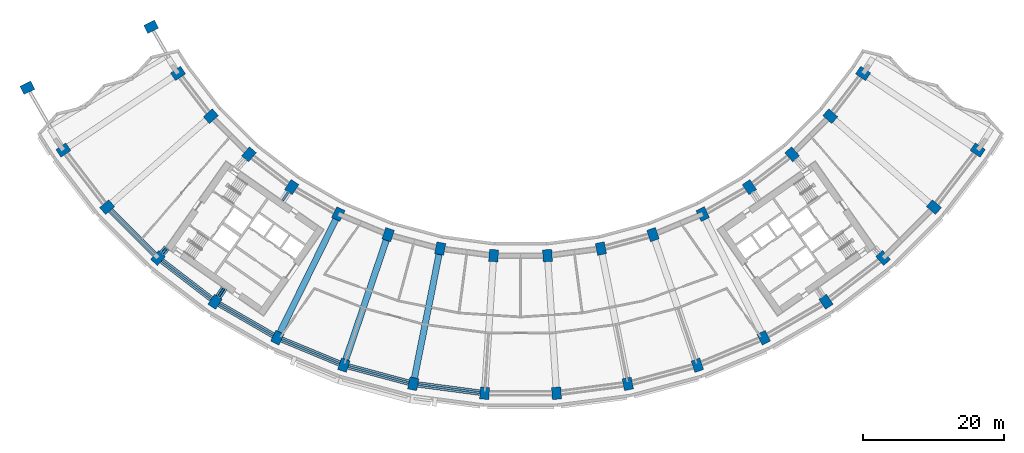
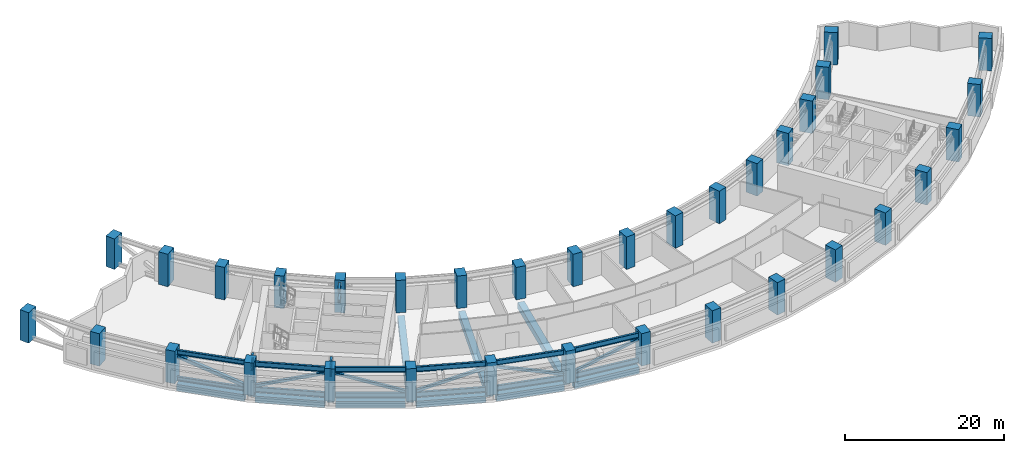
# One storey, part 1 of 25: 34 columns, 26 members, 11 beams.
"""IFC4 building model written with IfcOpenShell, lengths in metres."""

from ifc_helpers import new_model, si_unit, direction, frame, origin, origin_2d, place, context, subcontext, project, spatial, rectangle, hollow_rectangle, hollow_circle, i_section, extrude, material, material_profile, profile_set, type_object, element, save


model = new_model("IFC4")

# Units and contexts
model_context = context("Model", 3, precision=1e-05, world=origin(), true_north=direction((0.0, 1.0)))
body_context = subcontext(model_context, "Body", "Model", "MODEL_VIEW")
ifc_project = project(units=[si_unit("LENGTHUNIT", "METRE"), si_unit("AREAUNIT", "SQUARE_METRE"), si_unit("VOLUMEUNIT", "CUBIC_METRE"), si_unit("PLANEANGLEUNIT", "RADIAN"), si_unit("MASSUNIT", "GRAM", prefix="KILO")], contexts=[model_context])

# Site, building, storey
site_placement = place(None, origin())
site = spatial("IfcSite", under=ifc_project, at=site_placement, CompositionType="ELEMENT")
building_placement = place(site_placement, origin())
building = spatial("IfcBuilding", under=site, at=building_placement, Name="Qamariyya Broadcast Tower", CompositionType="ELEMENT")
storey_placement = place(building_placement, frame((0.0, 0.0, 89.89990234375)))
storey = spatial("IfcBuildingStorey", under=building, at=storey_placement, Name="L19", CompositionType="ELEMENT", Elevation=89.89990234375)

# Columns
ifc_material_1 = material(Name="Concrete C70/85", Category="concrete")
ifc_material_profile_1 = material_profile(ifc_material_1, rectangle(XDim=1.300048828125, YDim=1.699951171875, at=origin_2d()))
ifc_profile_set_1 = profile_set([ifc_material_profile_1], Name="Concrete C70/85")
column_type_1 = type_object("IfcColumnType", Name="RC column 1300 x 1700 C70/85", PredefinedType="COLUMN", material=ifc_profile_set_1)
for number, where, z_axis, x_axis, name in (
    (1, (-48.43310546875, -32.362060546875, 0.0), (0.0, 0.0, 1.0), (0.55557023302, -0.831469612303, 0.0), "Column C5 L19 B-R03"),
    (2, (-64.646728515625, -43.195556640625, 0.0), (0.0, 0.0, 1.0), (0.55557023302, -0.831469612303, 0.0), "Column C5 L19 C-R03"),
    (3, (-43.794677734375, -38.406982421875, 0.0), (0.0, 0.0, 1.0), (0.6593458151, -0.751839807479, 0.0), "Column C5 L19 B-R04"),
    (4, (-58.45556640625, -51.26416015625, 0.0), (0.0, 0.0, 1.0), (0.6593458151, -0.751839807479, 0.0), "Column C5 L19 C-R04"),
    (5, (-38.406982421875, -43.794677734375, 0.0), (0.0, 0.0, 1.0), (0.751839807479, -0.6593458151, 0.0), "Column C5 L19 B-R05"),
    (6, (-51.26416015625, -58.45556640625, 0.0), (0.0, 0.0, 1.0), (0.751839807479, -0.6593458151, 0.0), "Column C5 L19 C-R05"),
    (7, (-32.362060546875, -48.43310546875, 0.0), (0.0, 0.0, 1.0), (0.831469612303, -0.55557023302, 0.0), "Column C5 L19 B-R06"),
    (8, (-43.195556640625, -64.646728515625, 0.0), (0.0, 0.0, 1.0), (0.831469612303, -0.55557023302, 0.0), "Column C5 L19 C-R06"),
    (9, (-25.763427734375, -52.242919921875, 0.0), (0.0, 0.0, 1.0), (0.896872741533, -0.442288690219, 0.0), "Column C5 L19 B-R07"),
    (10, (-34.387939453125, -69.73193359375, 0.0), (0.0, 0.0, 1.0), (0.896872741533, -0.442288690219, 0.0), "Column C5 L19 C-R07"),
    (11, (-18.723876953125, -55.15869140625, 0.0), (0.0, 0.0, 1.0), (0.946930129495, -0.321439465303, 0.0), "Column C5 L19 B-R08"),
    (12, (-24.991943359375, -73.623779296875, 0.0), (0.0, 0.0, 1.0), (0.946930129495, -0.321439465303, 0.0), "Column C5 L19 C-R08"),
    (13, (-11.364013671875, -57.130859375, 0.0), (0.0, 0.0, 1.0), (0.980785280403, -0.195090322016, 0.0), "Column C5 L19 B-R09"),
    (14, (-15.168212890625, -76.256103515625, 0.0), (0.0, 0.0, 1.0), (0.980785280403, -0.195090322016, 0.0), "Column C5 L19 C-R09"),
    (15, (-3.809814453125, -58.125244140625, 0.0), (0.0, 0.0, 1.0), (0.997858923239, -0.06540312923, 0.0), "Column C5 L19 B-R10"),
    (16, (-5.085205078125, -77.58349609375, 0.0), (0.0, 0.0, 1.0), (0.997858923239, -0.06540312923, 0.0), "Column C5 L19 C-R10"),
    (17, (3.809814453125, -58.125244140625, 0.0), (0.0, 0.0, 1.0), (0.997858923239, 0.06540312923, 0.0), "Column C5 L19 B-R11"),
    (18, (5.085205078125, -77.58349609375, 0.0), (0.0, 0.0, 1.0), (0.997858923239, 0.06540312923, 0.0), "Column C5 L19 C-R11"),
    (19, (11.364013671875, -57.130859375, 0.0), (0.0, 0.0, 1.0), (0.980785280403, 0.195090322016, 0.0), "Column C5 L19 B-R12"),
    (20, (15.168212890625, -76.256103515625, 0.0), (0.0, 0.0, 1.0), (0.980785280403, 0.195090322016, 0.0), "Column C5 L19 C-R12"),
    (21, (18.723876953125, -55.15869140625, 0.0), (0.0, 0.0, 1.0), (0.946930129495, 0.321439465303, 0.0), "Column C5 L19 B-R13"),
    (22, (24.991943359375, -73.623779296875, 0.0), (0.0, 0.0, 1.0), (0.946930129495, 0.321439465303, 0.0), "Column C5 L19 C-R13"),
    (23, (25.763427734375, -52.242919921875, 0.0), (0.0, 0.0, 1.0), (0.896872741533, 0.442288690219, 0.0), "Column C5 L19 B-R14"),
    (24, (34.387939453125, -69.73193359375, 0.0), (0.0, 0.0, 1.0), (0.896872741533, 0.442288690219, 0.0), "Column C5 L19 C-R14"),
    (25, (32.362060546875, -48.43310546875, 0.0), (0.0, 0.0, 1.0), (0.831469612303, 0.55557023302, 0.0), "Column C5 L19 B-R15"),
    (26, (43.195556640625, -64.646728515625, 0.0), (0.0, 0.0, 1.0), (0.831469612303, 0.55557023302, 0.0), "Column C5 L19 C-R15"),
    (27, (38.406982421875, -43.794677734375, 0.0), (0.0, 0.0, 1.0), (0.751839807479, 0.6593458151, 0.0), "Column C5 L19 B-R16"),
    (28, (51.26416015625, -58.45556640625, 0.0), (0.0, 0.0, 1.0), (0.751839807479, 0.6593458151, 0.0), "Column C5 L19 C-R16"),
    (29, (43.794677734375, -38.406982421875, 0.0), (0.0, 0.0, 1.0), (0.6593458151, 0.751839807479, 0.0), "Column C5 L19 B-R17"),
    (30, (58.45556640625, -51.26416015625, 0.0), (0.0, 0.0, 1.0), (0.6593458151, 0.751839807479, 0.0), "Column C5 L19 C-R17"),
    (31, (48.43310546875, -32.362060546875, 0.0), (0.0, 0.0, 1.0), (0.55557023302, 0.831469612303, 0.0), "Column C5 L19 B-R18"),
    (32, (64.646728515625, -43.195556640625, 0.0), (0.0, 0.0, 1.0), (0.55557023302, 0.831469612303, 0.0), "Column C5 L19 C-R18"),
):
    element("IfcColumn", number, at=place(storey_placement, frame(where, z_axis=z_axis, x_axis=x_axis)), inside=storey, type_object=column_type_1, Name=name, PredefinedType="COLUMN", context=body_context, shape_type="SweptSolid", body=[
        extrude(rectangle(XDim=1.300048828125, YDim=1.699951171875, at=origin_2d()), origin(), (0.0, 0.0, 1.0), 5.0),
    ])
ifc_material_profile_2 = material_profile(ifc_material_1, rectangle(XDim=1.300048828125, YDim=1.699951171875, at=origin_2d()))
ifc_profile_set_2 = profile_set([ifc_material_profile_2], Name="Concrete C70/85")
column_type_2 = type_object("IfcColumnType", Name="RC column 1300 x 1700 C70/85 to slab soffit", PredefinedType="COLUMN", material=ifc_profile_set_2)
for number, where, z_axis, x_axis, name in (
    (33, (-52.242919921875, -25.763427734375, 0.0), (0.0, 0.0, 1.0), (0.442288690219, -0.896872741533, 0.0), "Column C16 L19 B-R02"),
    (34, (-69.73193359375, -34.387939453125, 0.0), (0.0, 0.0, 1.0), (0.442288690219, -0.896872741533, 0.0), "Column C16 L19 C-R02"),
):
    element("IfcColumn", number, at=place(storey_placement, frame(where, z_axis=z_axis, x_axis=x_axis)), inside=storey, type_object=column_type_2, Name=name, PredefinedType="COLUMN", context=body_context, shape_type="SweptSolid", body=[
        extrude(rectangle(XDim=1.300048828125, YDim=1.699951171875, at=origin_2d()), origin(), (0.0, 0.0, 1.0), 4.7001953125),
    ])

# Members
ifc_material_2 = material(Name="Steel S355", Category="steel")
ifc_material_profile_3 = material_profile(ifc_material_2, i_section(OverallWidth=0.300048828125, OverallDepth=0.800048828125, WebThickness=0.017578125, FlangeThickness=0.032958984375, FilletRadius=0.030029296875, at=origin_2d()))
ifc_profile_set_3 = profile_set([ifc_material_profile_3], Name="Steel S355")
member_type_1 = type_object("IfcMemberType", Name="Belt truss bottom chord HEB 800", PredefinedType="CHORD", material=ifc_profile_set_3)
member_1_placement = place(storey_placement, frame((-50.747314453125, -58.85205078125, 0.400146484375), z_axis=(0.793347052809, -0.608769622928, 0.0), x_axis=(0.608769622928, 0.793347052809, 0.0)))
element("IfcMember", 35, at=member_1_placement, inside=storey, type_object=member_type_1, Name="Belt truss bottom chord T6 L19 C-R05", PredefinedType="CHORD", context=body_context, shape_type="SweptSolid", body=[
    extrude(i_section(OverallWidth=0.300048828125, OverallDepth=0.800048828125, WebThickness=0.017578125, FlangeThickness=0.032958984375, FilletRadius=0.030029296875, at=origin_2d()), origin(), (0.0, 0.0, 1.0), 8.867431640625),
])
member_2_placement = place(storey_placement, frame((-42.63134765625, -64.972412109375, 0.400146484375), z_axis=(0.866013187848, -0.500021158025, 0.0), x_axis=(0.500021158025, 0.866013187848, 0.0)))
element("IfcMember", 36, at=member_2_placement, inside=storey, type_object=member_type_1, Name="Belt truss bottom chord T6 L19 C-R06", PredefinedType="CHORD", context=body_context, shape_type="SweptSolid", body=[
    extrude(i_section(OverallWidth=0.300048828125, OverallDepth=0.800048828125, WebThickness=0.017578125, FlangeThickness=0.032958984375, FilletRadius=0.030029296875, at=origin_2d()), origin(), (0.0, 0.0, 1.0), 8.8671875),
])
for number, where, z_axis, x_axis, name in (
    (37, (-33.7861328125, -69.981201171875, 0.400146484375), (0.923882942367, -0.382675200142, 0.0), (0.382675200142, 0.923882942367, 0.0), "Belt truss bottom chord T6 L19 C-R07"),
    (38, (-24.36279296875, -73.79248046875, 0.400146484375), (0.965930847021, -0.258800306749, 0.0), (0.258800306749, 0.965930847021, 0.0), "Belt truss bottom chord T6 L19 C-R08"),
    (39, (-14.5224609375, -76.341064453125, 0.400146484375), (0.991444171706, -0.13053143066, 0.0), (0.13053143066, 0.991444171706, 0.0), "Belt truss bottom chord T6 L19 C-R09"),
):
    element("IfcMember", number, at=place(storey_placement, frame(where, z_axis=z_axis, x_axis=x_axis)), inside=storey, type_object=member_type_1, Name=name, PredefinedType="CHORD", context=body_context, shape_type="SweptSolid", body=[
        extrude(i_section(OverallWidth=0.300048828125, OverallDepth=0.800048828125, WebThickness=0.017578125, FlangeThickness=0.032958984375, FilletRadius=0.030029296875, at=origin_2d()), origin(), (0.0, 0.0, 1.0), 8.867431640625),
    ])
ifc_material_profile_4 = material_profile(ifc_material_2, hollow_rectangle(XDim=0.39990234375, YDim=0.39990234375, WallThickness=0.01611328125, InnerFilletRadius=0.01611328125, OuterFilletRadius=0.031982421875, at=origin_2d()))
ifc_profile_set_4 = profile_set([ifc_material_profile_4], Name="Steel S355")
member_type_2 = type_object("IfcMemberType", Name="Belt truss diagonal RHS 400x400x16", PredefinedType="BRACE", material=ifc_profile_set_4)
for number, where, z_axis, x_axis, name in (
    (40, (-50.69873046875, -58.889404296875, 0.990966796875), (0.757598167369, -0.581322026937, 0.296832811186), (0.60875912676, 0.793355106863, 0.0), "Belt truss diagonal T7 L19 C-R05"),
    (41, (-42.578369140625, -65.003173828125, 3.709228515625), (0.826997535503, -0.477456443047, -0.296833996141), (0.499991512413, 0.86603030404, 0.0), "Belt truss diagonal T7 L19 C-R06"),
    (42, (-33.7294921875, -70.004638671875, 0.990966796875), (0.882240595801, -0.365431882227, 0.29683508986), (0.382679733804, 0.923881064497, 0.0), "Belt truss diagonal T7 L19 C-R07"),
    (43, (-24.303466796875, -73.808349609375, 3.709228515625), (0.92239347405, -0.247141092099, -0.296835913639), (0.258805860401, 0.965929359023, 0.0), "Belt truss diagonal T7 L19 C-R08"),
    (44, (-14.461669921875, -76.34912109375, 0.990966796875), (0.946759900646, -0.124636813908, 0.29683556921), (0.130519510012, 0.99144574108, 0.0), "Belt truss diagonal T7 L19 C-R09"),
):
    element("IfcMember", number, at=place(storey_placement, frame(where, z_axis=z_axis, x_axis=x_axis)), inside=storey, type_object=member_type_2, Name=name, PredefinedType="BRACE", context=body_context, shape_type="SweptSolid", body=[
        extrude(hollow_rectangle(XDim=0.39990234375, YDim=0.39990234375, WallThickness=0.01611328125, InnerFilletRadius=0.01611328125, OuterFilletRadius=0.031982421875, at=origin_2d()), origin(), (0.0, 0.0, 1.0), 9.157470703125),
    ])
ifc_material_profile_5 = material_profile(ifc_material_2, i_section(OverallWidth=0.300048828125, OverallDepth=0.800048828125, WebThickness=0.017578125, FlangeThickness=0.032958984375, FilletRadius=0.030029296875, at=origin_2d()))
ifc_profile_set_5 = profile_set([ifc_material_profile_5], Name="Steel S355")
member_type_3 = type_object("IfcMemberType", Name="Belt truss top chord HEB 800", PredefinedType="CHORD", material=ifc_profile_set_5)
member_3_placement = place(storey_placement, frame((-50.747314453125, -58.85205078125, 4.300048828125), z_axis=(0.793347052809, -0.608769622928, 0.0), x_axis=(0.608769622928, 0.793347052809, 0.0)))
element("IfcMember", 45, at=member_3_placement, inside=storey, type_object=member_type_3, Name="Belt truss top chord T5 L19 C-R05", PredefinedType="CHORD", context=body_context, shape_type="SweptSolid", body=[
    extrude(i_section(OverallWidth=0.300048828125, OverallDepth=0.800048828125, WebThickness=0.017578125, FlangeThickness=0.032958984375, FilletRadius=0.030029296875, at=origin_2d()), origin(), (0.0, 0.0, 1.0), 8.867431640625),
])
member_4_placement = place(storey_placement, frame((-42.63134765625, -64.972412109375, 4.300048828125), z_axis=(0.866013187848, -0.500021158025, 0.0), x_axis=(0.500021158025, 0.866013187848, 0.0)))
element("IfcMember", 46, at=member_4_placement, inside=storey, type_object=member_type_3, Name="Belt truss top chord T5 L19 C-R06", PredefinedType="CHORD", context=body_context, shape_type="SweptSolid", body=[
    extrude(i_section(OverallWidth=0.300048828125, OverallDepth=0.800048828125, WebThickness=0.017578125, FlangeThickness=0.032958984375, FilletRadius=0.030029296875, at=origin_2d()), origin(), (0.0, 0.0, 1.0), 8.8671875),
])
for number, where, z_axis, x_axis, name in (
    (47, (-33.7861328125, -69.981201171875, 4.300048828125), (0.923882942367, -0.382675200142, 0.0), (0.382675200142, 0.923882942367, 0.0), "Belt truss top chord T5 L19 C-R07"),
    (48, (-24.36279296875, -73.79248046875, 4.300048828125), (0.965930847021, -0.258800306749, 0.0), (0.258800306749, 0.965930847021, 0.0), "Belt truss top chord T5 L19 C-R08"),
    (49, (-14.5224609375, -76.341064453125, 4.300048828125), (0.991444171706, -0.13053143066, 0.0), (0.13053143066, 0.991444171706, 0.0), "Belt truss top chord T5 L19 C-R09"),
):
    element("IfcMember", number, at=place(storey_placement, frame(where, z_axis=z_axis, x_axis=x_axis)), inside=storey, type_object=member_type_3, Name=name, PredefinedType="CHORD", context=body_context, shape_type="SweptSolid", body=[
        extrude(i_section(OverallWidth=0.300048828125, OverallDepth=0.800048828125, WebThickness=0.017578125, FlangeThickness=0.032958984375, FilletRadius=0.030029296875, at=origin_2d()), origin(), (0.0, 0.0, 1.0), 8.867431640625),
    ])
ifc_material_profile_6 = material_profile(ifc_material_2, i_section(OverallWidth=0.300048828125, OverallDepth=0.489990234375, WebThickness=0.011962890625, FlangeThickness=0.02294921875, FilletRadius=0.027099609375, at=origin_2d()))
ifc_profile_set_6 = profile_set([ifc_material_profile_6], Name="Steel S355")
member_type_4 = type_object("IfcMemberType", Name="Outrigger truss bottom chord HEA 500", PredefinedType="CHORD", material=ifc_profile_set_6)
member_5_placement = place(storey_placement, frame((-50.04150390625, -57.0615234375, 2.7451171875), z_axis=(-0.659329597633, -0.751854029506, 0.0), x_axis=(0.751854029506, -0.659329597633, 0.0)))
element("IfcMember", 50, at=member_5_placement, inside=storey, type_object=member_type_4, Name="Outrigger truss bottom chord T9 L19 R05", PredefinedType="CHORD", context=body_context, shape_type="SweptSolid", body=[
    extrude(i_section(OverallWidth=0.300048828125, OverallDepth=0.489990234375, WebThickness=0.011962890625, FlangeThickness=0.02294921875, FilletRadius=0.027099609375, at=origin_2d()), origin(), (0.0, 0.0, 1.0), 0.984130859375),
])
member_6_placement = place(storey_placement, frame((-32.84521484375, -49.156494140625, 2.7451171875), z_axis=(-0.555671566181, -0.831401894716, 0.0), x_axis=(0.831401894716, -0.555671566181, 0.0)))
element("IfcMember", 51, at=member_6_placement, inside=storey, type_object=member_type_4, Name="Outrigger truss bottom chord T9 L19 R06", PredefinedType="CHORD", context=body_context, shape_type="SweptSolid", body=[
    extrude(i_section(OverallWidth=0.300048828125, OverallDepth=0.489990234375, WebThickness=0.011962890625, FlangeThickness=0.02294921875, FilletRadius=0.027099609375, at=origin_2d()), origin(), (0.0, 0.0, 1.0), 1.449462890625),
])
member_7_placement = place(storey_placement, frame((-41.925048828125, -62.7451171875, 2.7451171875), z_axis=(-0.55549517361, -0.831519760497, 0.0), x_axis=(0.831519760497, -0.55549517361, 0.0)))
element("IfcMember", 52, at=member_7_placement, inside=storey, type_object=member_type_4, Name="Outrigger truss bottom chord T9 L19 R06", PredefinedType="CHORD", context=body_context, shape_type="SweptSolid", body=[
    extrude(i_section(OverallWidth=0.300048828125, OverallDepth=0.489990234375, WebThickness=0.011962890625, FlangeThickness=0.02294921875, FilletRadius=0.027099609375, at=origin_2d()), origin(), (0.0, 0.0, 1.0), 1.4169921875),
])
ifc_material_profile_7 = material_profile(ifc_material_2, hollow_circle(Radius=0.177734375, WallThickness=0.012451171875, at=origin_2d()))
ifc_profile_set_7 = profile_set([ifc_material_profile_7], Name="Steel S355")
member_type_5 = type_object("IfcMemberType", Name="Outrigger truss diagonal CHS 355.6x12.5", PredefinedType="BRACE", material=ifc_profile_set_7)
member_8_placement = place(storey_placement, frame((-50.140380859375, -57.174072265625, 4.111083984375), z_axis=(-0.366954092593, -0.418553910913, -0.830757074956), x_axis=(0.751935834782, -0.659236300859, 0.0)))
element("IfcMember", 53, at=member_8_placement, inside=storey, type_object=member_type_5, Name="Outrigger truss diagonal T10 L19 R05", PredefinedType="BRACE", context=body_context, shape_type="SweptSolid", body=[
    extrude(hollow_circle(Radius=0.177734375, WallThickness=0.012451171875, at=origin_2d()), origin(), (0.0, 0.0, 1.0), 1.230224609375),
])
member_9_placement = place(storey_placement, frame((-41.9873046875, -62.83837890625, 4.070556640625), z_axis=(-0.436162199242, -0.652796924584, -0.619369607914), x_axis=(0.831483004065, -0.555550190308, 0.0)))
element("IfcMember", 54, at=member_9_placement, inside=storey, type_object=member_type_5, Name="Outrigger truss diagonal T10 L19 R06", PredefinedType="BRACE", context=body_context, shape_type="SweptSolid", body=[
    extrude(hollow_circle(Radius=0.177734375, WallThickness=0.012451171875, at=origin_2d()), origin(), (0.0, 0.0, 1.0), 1.51904296875),
])
ifc_material_profile_8 = material_profile(ifc_material_2, i_section(OverallWidth=0.300048828125, OverallDepth=0.489990234375, WebThickness=0.011962890625, FlangeThickness=0.02294921875, FilletRadius=0.027099609375, at=origin_2d()))
ifc_profile_set_8 = profile_set([ifc_material_profile_8], Name="Steel S355")
member_type_6 = type_object("IfcMemberType", Name="Outrigger truss top chord HEA 500", PredefinedType="CHORD", material=ifc_profile_set_8)
member_10_placement = place(storey_placement, frame((-50.04150390625, -57.0615234375, 4.455078125), z_axis=(-0.659329597633, -0.751854029506, 0.0), x_axis=(0.751854029506, -0.659329597633, 0.0)))
element("IfcMember", 55, at=member_10_placement, inside=storey, type_object=member_type_6, Name="Outrigger truss top chord T8 L19 R05", PredefinedType="CHORD", context=body_context, shape_type="SweptSolid", body=[
    extrude(i_section(OverallWidth=0.300048828125, OverallDepth=0.489990234375, WebThickness=0.011962890625, FlangeThickness=0.02294921875, FilletRadius=0.027099609375, at=origin_2d()), origin(), (0.0, 0.0, 1.0), 0.984130859375),
])
member_11_placement = place(storey_placement, frame((-32.84521484375, -49.156494140625, 4.455078125), z_axis=(-0.555671566181, -0.831401894716, 0.0), x_axis=(0.831401894716, -0.555671566181, 0.0)))
element("IfcMember", 56, at=member_11_placement, inside=storey, type_object=member_type_6, Name="Outrigger truss top chord T8 L19 R06", PredefinedType="CHORD", context=body_context, shape_type="SweptSolid", body=[
    extrude(i_section(OverallWidth=0.300048828125, OverallDepth=0.489990234375, WebThickness=0.011962890625, FlangeThickness=0.02294921875, FilletRadius=0.027099609375, at=origin_2d()), origin(), (0.0, 0.0, 1.0), 1.449462890625),
])
member_12_placement = place(storey_placement, frame((-41.925048828125, -62.7451171875, 4.455078125), z_axis=(-0.55549517361, -0.831519760497, 0.0), x_axis=(0.831519760497, -0.55549517361, 0.0)))
element("IfcMember", 57, at=member_12_placement, inside=storey, type_object=member_type_6, Name="Outrigger truss top chord T8 L19 R06", PredefinedType="CHORD", context=body_context, shape_type="SweptSolid", body=[
    extrude(i_section(OverallWidth=0.300048828125, OverallDepth=0.489990234375, WebThickness=0.011962890625, FlangeThickness=0.02294921875, FilletRadius=0.027099609375, at=origin_2d()), origin(), (0.0, 0.0, 1.0), 1.4169921875),
])

# Beams
ifc_material_3 = material(Name="Concrete C50/60", Category="concrete")
ifc_material_profile_9 = material_profile(ifc_material_3, rectangle(XDim=0.800048828125, YDim=1.0, at=origin_2d()))
ifc_profile_set_9 = profile_set([ifc_material_profile_9], Name="Concrete C50/60")
beam_type_1 = type_object("IfcBeamType", Name="RC edge beam 800 x 1000 C50/60", PredefinedType="SPANDREL", material=ifc_profile_set_9)
beam_1_placement = place(storey_placement, frame((-57.994873046875, -51.724853515625, -0.89990234375), z_axis=(0.707106781187, -0.707106781187, 0.0), x_axis=(0.707106781187, 0.707106781187, 0.0)))
element("IfcBeam", 58, at=beam_1_placement, inside=storey, type_object=beam_type_1, Name="Edge beam B10 L19 C R04-R05", PredefinedType="SPANDREL", context=body_context, shape_type="SweptSolid", body=[
    extrude(rectangle(XDim=0.800048828125, YDim=1.0, at=origin_2d()), origin(), (0.0, 0.0, 1.0), 8.8671875),
])
beam_2_placement = place(storey_placement, frame((-50.747314453125, -58.85205078125, -0.89990234375), z_axis=(0.793347052809, -0.608769622928, 0.0), x_axis=(0.608769622928, 0.793347052809, 0.0)))
element("IfcBeam", 59, at=beam_2_placement, inside=storey, type_object=beam_type_1, Name="Edge beam B10 L19 C R05-R06", PredefinedType="SPANDREL", context=body_context, shape_type="SweptSolid", body=[
    extrude(rectangle(XDim=0.800048828125, YDim=1.0, at=origin_2d()), origin(), (0.0, 0.0, 1.0), 8.867431640625),
])
beam_3_placement = place(storey_placement, frame((-42.63134765625, -64.972412109375, -0.89990234375), z_axis=(0.866013187848, -0.500021158025, 0.0), x_axis=(0.500021158025, 0.866013187848, 0.0)))
element("IfcBeam", 60, at=beam_3_placement, inside=storey, type_object=beam_type_1, Name="Edge beam B10 L19 C R06-R07", PredefinedType="SPANDREL", context=body_context, shape_type="SweptSolid", body=[
    extrude(rectangle(XDim=0.800048828125, YDim=1.0, at=origin_2d()), origin(), (0.0, 0.0, 1.0), 8.8671875),
])
for number, where, z_axis, x_axis, name in (
    (61, (-33.7861328125, -69.981201171875, -0.89990234375), (0.923882942367, -0.382675200142, 0.0), (0.382675200142, 0.923882942367, 0.0), "Edge beam B10 L19 C R07-R08"),
    (62, (-24.36279296875, -73.79248046875, -0.89990234375), (0.965930847021, -0.258800306749, 0.0), (0.258800306749, 0.965930847021, 0.0), "Edge beam B10 L19 C R08-R09"),
    (63, (-14.5224609375, -76.341064453125, -0.89990234375), (0.991444171706, -0.13053143066, 0.0), (0.13053143066, 0.991444171706, 0.0), "Edge beam B10 L19 C R09-R10"),
):
    element("IfcBeam", number, at=place(storey_placement, frame(where, z_axis=z_axis, x_axis=x_axis)), inside=storey, type_object=beam_type_1, Name=name, PredefinedType="SPANDREL", context=body_context, shape_type="SweptSolid", body=[
        extrude(rectangle(XDim=0.800048828125, YDim=1.0, at=origin_2d()), origin(), (0.0, 0.0, 1.0), 8.867431640625),
    ])
ifc_material_profile_10 = material_profile(ifc_material_3, rectangle(XDim=0.89990234375, YDim=1.0, at=origin_2d()))
ifc_profile_set_10 = profile_set([ifc_material_profile_10], Name="Concrete C50/60")
beam_type_2 = type_object("IfcBeamType", Name="RC radial beam 900 x 1000 C50/60", PredefinedType="BEAM", material=ifc_profile_set_10)
beam_4_placement = place(storey_placement, frame((-50.011962890625, -57.027587890625, -0.89990234375), z_axis=(-0.659278599496, -0.751898748667, 0.0), x_axis=(0.751898748667, -0.659278599496, 0.0)))
element("IfcBeam", 64, at=beam_4_placement, inside=storey, type_object=beam_type_2, Name="Radial beam B9 L19 R05 B-C", PredefinedType="BEAM", context=body_context, shape_type="SweptSolid", body=[
    extrude(rectangle(XDim=0.89990234375, YDim=1.0, at=origin_2d()), origin(), (0.0, 0.0, 1.0), 1.049072265625),
])
beam_5_placement = place(storey_placement, frame((-41.89990234375, -62.707763671875, -0.89990234375), z_axis=(-0.555650227013, -0.831416156459, 0.0), x_axis=(0.831416156459, -0.555650227013, 0.0)))
element("IfcBeam", 65, at=beam_5_placement, inside=storey, type_object=beam_type_2, Name="Radial beam B9 L19 R06 B-C", PredefinedType="BEAM", context=body_context, shape_type="SweptSolid", body=[
    extrude(rectangle(XDim=0.89990234375, YDim=1.0, at=origin_2d()), origin(), (0.0, 0.0, 1.0), 1.48193359375),
])
beam_6_placement = place(storey_placement, frame((-26.13916015625, -53.005126953125, -0.89990234375), z_axis=(-0.442291123934, -0.896871541353, 0.0), x_axis=(0.896871541353, -0.442291123934, 0.0)))
element("IfcBeam", 66, at=beam_6_placement, inside=storey, type_object=beam_type_2, Name="Radial beam B9 L19 R07 B-C", PredefinedType="BEAM", context=body_context, shape_type="SweptSolid", body=[
    extrude(rectangle(XDim=0.89990234375, YDim=1.0, at=origin_2d()), origin(), (0.0, 0.0, 1.0), 17.800048828125),
])
beam_7_placement = place(storey_placement, frame((-18.9970703125, -55.963623046875, -0.89990234375), z_axis=(-0.321444599042, -0.94692838681, 0.0), x_axis=(0.94692838681, -0.321444599042, 0.0)))
element("IfcBeam", 67, at=beam_7_placement, inside=storey, type_object=beam_type_2, Name="Radial beam B9 L19 R08 B-C", PredefinedType="BEAM", context=body_context, shape_type="SweptSolid", body=[
    extrude(rectangle(XDim=0.89990234375, YDim=1.0, at=origin_2d()), origin(), (0.0, 0.0, 1.0), 17.7998046875),
])
beam_8_placement = place(storey_placement, frame((-11.52978515625, -57.96435546875, -0.89990234375), z_axis=(-0.19509262344, -0.980784822619, 0.0), x_axis=(0.980784822619, -0.19509262344, 0.0)))
element("IfcBeam", 68, at=beam_8_placement, inside=storey, type_object=beam_type_2, Name="Radial beam B9 L19 R09 B-C", PredefinedType="BEAM", context=body_context, shape_type="SweptSolid", body=[
    extrude(rectangle(XDim=0.89990234375, YDim=1.0, at=origin_2d()), origin(), (0.0, 0.0, 1.0), 17.800048828125),
])

# Members
ifc_material_profile_11 = material_profile(ifc_material_2, i_section(OverallWidth=0.304931640625, OverallDepth=0.6201171875, WebThickness=0.02099609375, FlangeThickness=0.0400390625, FilletRadius=0.027099609375, at=origin_2d()))
ifc_profile_set_11 = profile_set([ifc_material_profile_11], Name="Steel S355")
member_type_7 = type_object("IfcMemberType", Name="Transfer truss bottom chord HEM 600", PredefinedType="CHORD", material=ifc_profile_set_11)
member_13_placement = place(storey_placement, frame((-57.994873046875, -51.724853515625, 0.31005859375), z_axis=(0.707106781187, -0.707106781187, 0.0), x_axis=(0.707106781187, 0.707106781187, 0.0)))
element("IfcMember", 69, at=member_13_placement, inside=storey, type_object=member_type_7, Name="Transfer truss bottom chord T3 L19 C-R04", PredefinedType="CHORD", context=body_context, shape_type="SweptSolid", body=[
    extrude(i_section(OverallWidth=0.304931640625, OverallDepth=0.6201171875, WebThickness=0.02099609375, FlangeThickness=0.0400390625, FilletRadius=0.027099609375, at=origin_2d()), origin(), (0.0, 0.0, 1.0), 8.8671875),
])
ifc_material_profile_12 = material_profile(ifc_material_2, hollow_rectangle(XDim=0.5, YDim=0.5, WallThickness=0.01611328125, InnerFilletRadius=0.01611328125, OuterFilletRadius=0.031982421875, at=origin_2d()))
ifc_profile_set_12 = profile_set([ifc_material_profile_12], Name="Steel S355")
member_type_8 = type_object("IfcMemberType", Name="Transfer truss diagonal RHS 500x500x16", PredefinedType="BRACE", material=ifc_profile_set_12)
member_14_placement = place(storey_placement, frame((-57.937744140625, -51.78173828125, 3.746826171875), z_axis=(0.67111039846, -0.67111039846, -0.314994708141), x_axis=(0.707106781187, 0.707106781187, 0.0)))
element("IfcMember", 70, at=member_14_placement, inside=storey, type_object=member_type_8, Name="Transfer truss diagonal T4 L19 C-R04", PredefinedType="BRACE", context=body_context, shape_type="SweptSolid", body=[
    extrude(hollow_rectangle(XDim=0.5, YDim=0.5, WallThickness=0.01611328125, InnerFilletRadius=0.01611328125, OuterFilletRadius=0.031982421875, at=origin_2d()), origin(), (0.0, 0.0, 1.0), 9.1728515625),
])
ifc_material_profile_13 = material_profile(ifc_material_2, i_section(OverallWidth=0.303955078125, OverallDepth=0.716064453125, WebThickness=0.02099609375, FlangeThickness=0.0400390625, FilletRadius=0.027099609375, at=origin_2d()))
ifc_profile_set_13 = profile_set([ifc_material_profile_13], Name="Steel S355")
member_type_9 = type_object("IfcMemberType", Name="Transfer truss top chord HEM 700", PredefinedType="CHORD", material=ifc_profile_set_13)
member_15_placement = place(storey_placement, frame((-57.994873046875, -51.724853515625, 4.342041015625), z_axis=(0.707106781187, -0.707106781187, 0.0), x_axis=(0.707106781187, 0.707106781187, 0.0)))
element("IfcMember", 71, at=member_15_placement, inside=storey, type_object=member_type_9, Name="Transfer truss top chord T2 L19 C-R04", PredefinedType="CHORD", context=body_context, shape_type="SweptSolid", body=[
    extrude(i_section(OverallWidth=0.303955078125, OverallDepth=0.716064453125, WebThickness=0.02099609375, FlangeThickness=0.0400390625, FilletRadius=0.027099609375, at=origin_2d()), origin(), (0.0, 0.0, 1.0), 8.8671875),
])

save(model, "model.ifc")
